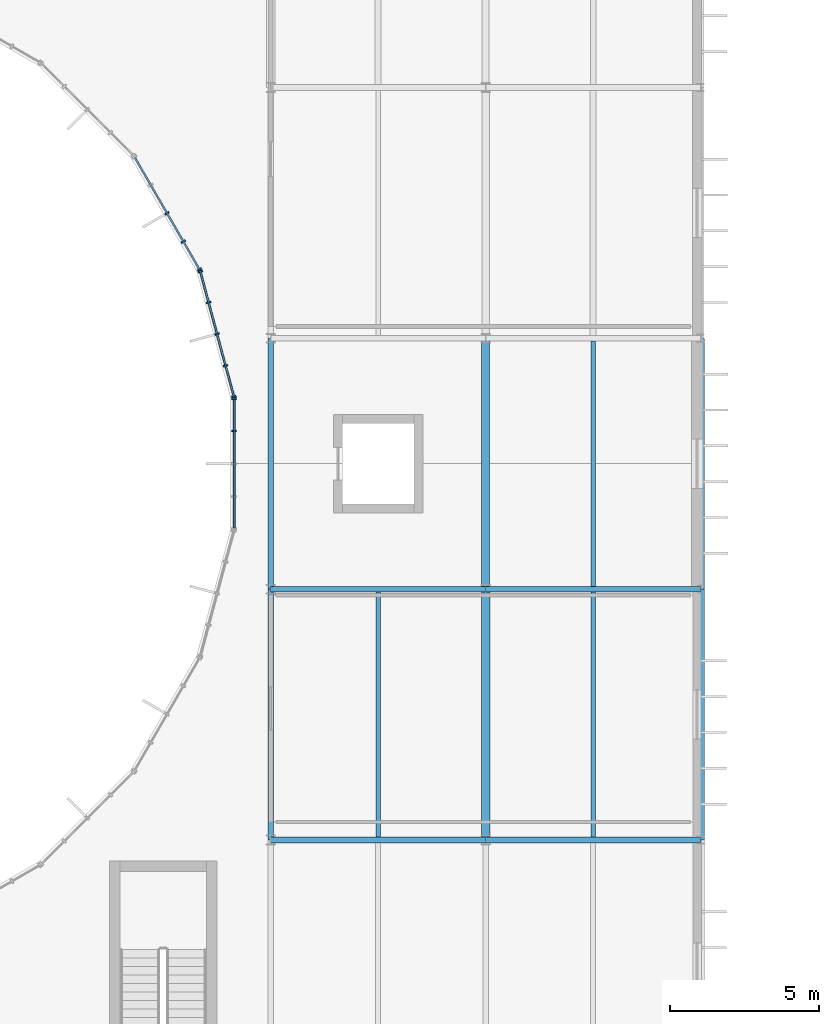
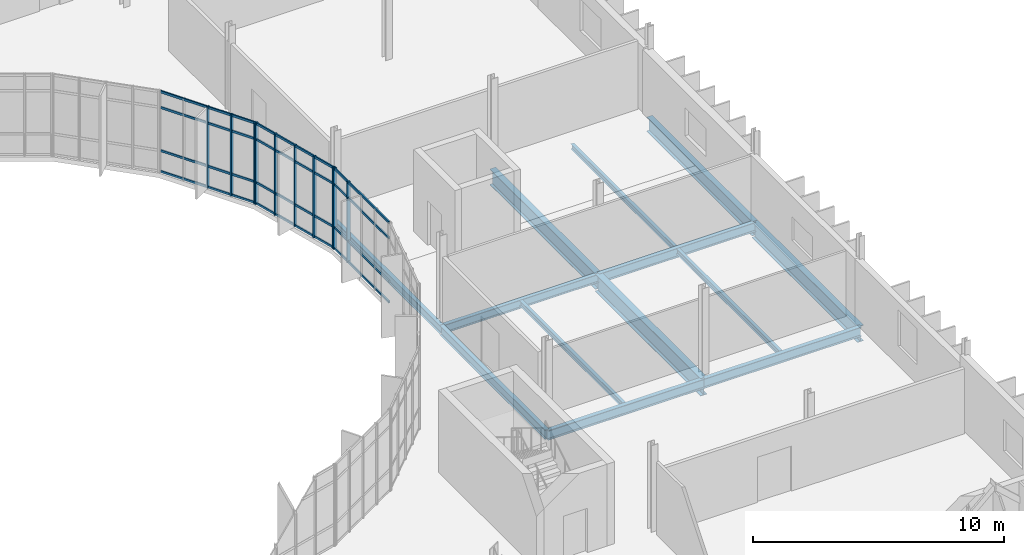
# One storey, part 64 of 119: 22 members, 13 beams, 3 elements without a shape of their own.
"""IFC4 building model written with IfcOpenShell, lengths in metres."""

from ifc_helpers import new_model, si_unit, direction, frame, origin, origin_2d, place, context, subcontext, project, spatial, rectangle, i_section, extrude, material, material_profile, profile_set, type_object, element, aggregate, save


model = new_model("IFC4")

# Units and contexts
model_context = context("Model", 3, precision=1e-05, world=origin(), true_north=direction((0.0, 1.0)))
body_context = subcontext(model_context, "Body", "Model", "MODEL_VIEW")
ifc_project = project(units=[si_unit("LENGTHUNIT", "METRE"), si_unit("AREAUNIT", "SQUARE_METRE"), si_unit("VOLUMEUNIT", "CUBIC_METRE"), si_unit("PLANEANGLEUNIT", "RADIAN"), si_unit("MASSUNIT", "GRAM", prefix="KILO")], contexts=[model_context])

# Site, building, storey
site_placement = place(None, origin())
site = spatial("IfcSite", under=ifc_project, at=site_placement, CompositionType="ELEMENT")
building_placement = place(site_placement, origin())
building = spatial("IfcBuilding", under=site, at=building_placement, Name="Qelthora Terrace Specialist Clinic", CompositionType="ELEMENT")
storey_placement = place(building_placement, frame((0.0, 0.0, 4.800048828125)))
storey = spatial("IfcBuildingStorey", under=building, at=storey_placement, Name="L01", CompositionType="ELEMENT", Elevation=4.800048828125)

# Beams
ifc_material_1 = material(Name="Steel S355", Category="steel")
ifc_material_profile_1 = material_profile(ifc_material_1, i_section(OverallWidth=0.178955078125, OverallDepth=0.409912109375, WebThickness=0.0087890625, FlangeThickness=0.014404296875, FilletRadius=0.011962890625, at=origin_2d()), Name="W410X67")
ifc_profile_set_1 = profile_set([ifc_material_profile_1], Name="Steel S355")
beam_type_1 = type_object("IfcBeamType", Name="BM-W410X67", PredefinedType="BEAM", material=ifc_profile_set_1)
beam_1_placement = place(storey_placement, frame((144.0, 58.800048828125, -0.455078125), z_axis=(1.0, 0.0, 0.0), x_axis=(0.0, 1.0, 0.0)))
element("IfcBeam", 1, at=beam_1_placement, inside=storey, type_object=beam_type_1, Name="Girder BMX-L01-0248", PredefinedType="BEAM", context=body_context, shape_type="SweptSolid", body=[
    extrude(i_section(OverallWidth=0.178955078125, OverallDepth=0.409912109375, WebThickness=0.0087890625, FlangeThickness=0.014404296875, FilletRadius=0.011962890625, at=origin_2d()), origin(), (0.0, 0.0, 1.0), 7.199951171875),
])
ifc_material_profile_2 = material_profile(ifc_material_1, i_section(OverallWidth=0.179931640625, OverallDepth=0.4130859375, WebThickness=0.009765625, FlangeThickness=0.01611328125, FilletRadius=0.011962890625, at=origin_2d()), Name="W410X75")
ifc_profile_set_2 = profile_set([ifc_material_profile_2], Name="Steel S355")
beam_type_2 = type_object("IfcBeamType", Name="BM-W410X75", PredefinedType="BEAM", material=ifc_profile_set_2)
beam_2_placement = place(storey_placement, frame((144.0, 58.800048828125, -0.45654296875), z_axis=(0.0, 1.0, 0.0), x_axis=(-1.0, 0.0, 0.0)))
element("IfcBeam", 2, at=beam_2_placement, inside=storey, type_object=beam_type_2, Name="Girder BMY-L01-0519", PredefinedType="BEAM", context=body_context, shape_type="SweptSolid", body=[
    extrude(i_section(OverallWidth=0.179931640625, OverallDepth=0.4130859375, WebThickness=0.009765625, FlangeThickness=0.01611328125, FilletRadius=0.011962890625, at=origin_2d()), origin(), (0.0, 0.0, 1.0), 8.39990234375),
])
ifc_material_profile_3 = material_profile(ifc_material_1, i_section(OverallWidth=0.19091796875, OverallDepth=0.4599609375, WebThickness=0.010009765625, FlangeThickness=0.01611328125, FilletRadius=0.012939453125, at=origin_2d()), Name="W460X82")
ifc_profile_set_3 = profile_set([ifc_material_profile_3], Name="Steel S355")
beam_type_3 = type_object("IfcBeamType", Name="BM-W460X82", PredefinedType="BEAM", material=ifc_profile_set_3)
beam_3_placement = place(storey_placement, frame((144.0, 50.39990234375, -0.47998046875), z_axis=(0.0, 1.0, 0.0), x_axis=(-1.0, 0.0, 0.0)))
element("IfcBeam", 3, at=beam_3_placement, inside=storey, type_object=beam_type_3, Name="Girder BMY-L01-0518", PredefinedType="BEAM", context=body_context, shape_type="SweptSolid", body=[
    extrude(i_section(OverallWidth=0.19091796875, OverallDepth=0.4599609375, WebThickness=0.010009765625, FlangeThickness=0.01611328125, FilletRadius=0.012939453125, at=origin_2d()), origin(), (0.0, 0.0, 1.0), 8.400146484375),
])
ifc_material_profile_4 = material_profile(ifc_material_1, i_section(OverallWidth=0.193115234375, OverallDepth=0.466064453125, WebThickness=0.011474609375, FlangeThickness=0.01904296875, FilletRadius=0.012939453125, at=origin_2d()), Name="W460X97")
ifc_profile_set_4 = profile_set([ifc_material_profile_4], Name="Steel S355")
beam_type_4 = type_object("IfcBeamType", Name="BM-W460X97", PredefinedType="BEAM", material=ifc_profile_set_4)
beam_4_placement = place(storey_placement, frame((144.0, 50.39990234375, -0.483154296875), z_axis=(1.0, 0.0, 0.0), x_axis=(0.0, 1.0, 0.0)))
element("IfcBeam", 4, at=beam_4_placement, inside=storey, type_object=beam_type_4, Name="Girder BMX-L01-0231", PredefinedType="BEAM", context=body_context, shape_type="SweptSolid", body=[
    extrude(i_section(OverallWidth=0.193115234375, OverallDepth=0.466064453125, WebThickness=0.011474609375, FlangeThickness=0.01904296875, FilletRadius=0.012939453125, at=origin_2d()), origin(), (0.0, 0.0, 1.0), 7.199951171875),
])
ifc_material_profile_5 = material_profile(ifc_material_1, i_section(OverallWidth=0.256103515625, OverallDepth=0.693115234375, WebThickness=0.014404296875, FlangeThickness=0.023681640625, FilletRadius=0.01806640625, at=origin_2d()), Name="W690X170")
ifc_profile_set_5 = profile_set([ifc_material_profile_5], Name="Steel S355")
beam_type_5 = type_object("IfcBeamType", Name="BM-W690X170", PredefinedType="BEAM", material=ifc_profile_set_5)
beam_5_placement = place(storey_placement, frame((158.39990234375, 58.800048828125, -0.596435546875), z_axis=(0.0, 1.0, 0.0), x_axis=(-1.0, 0.0, 0.0)))
element("IfcBeam", 5, at=beam_5_placement, inside=storey, type_object=beam_type_5, Name="Girder BMY-L01-0543", PredefinedType="BEAM", context=body_context, shape_type="SweptSolid", body=[
    extrude(i_section(OverallWidth=0.256103515625, OverallDepth=0.693115234375, WebThickness=0.014404296875, FlangeThickness=0.023681640625, FilletRadius=0.01806640625, at=origin_2d()), origin(), (0.0, 0.0, 1.0), 8.39990234375),
])
ifc_material_profile_6 = material_profile(ifc_material_1, i_section(OverallWidth=0.26806640625, OverallDepth=0.77001953125, WebThickness=0.015625, FlangeThickness=0.025390625, FilletRadius=0.01904296875, at=origin_2d()), Name="W760X196")
ifc_profile_set_6 = profile_set([ifc_material_profile_6], Name="Steel S355")
beam_type_6 = type_object("IfcBeamType", Name="BM-W760X196", PredefinedType="BEAM", material=ifc_profile_set_6)
beam_6_placement = place(storey_placement, frame((151.199951171875, 58.800048828125, -0.635009765625), z_axis=(0.0, 1.0, 0.0), x_axis=(-1.0, 0.0, 0.0)))
element("IfcBeam", 6, at=beam_6_placement, inside=storey, type_object=beam_type_6, Name="Girder BMY-L01-0532", PredefinedType="BEAM", context=body_context, shape_type="SweptSolid", body=[
    extrude(i_section(OverallWidth=0.26806640625, OverallDepth=0.77001953125, WebThickness=0.015625, FlangeThickness=0.025390625, FilletRadius=0.01904296875, at=origin_2d()), origin(), (0.0, 0.0, 1.0), 8.39990234375),
])
beam_7_placement = place(storey_placement, frame((158.39990234375, 50.39990234375, -0.635009765625), z_axis=(0.0, 1.0, 0.0), x_axis=(-1.0, 0.0, 0.0)))
element("IfcBeam", 7, at=beam_7_placement, inside=storey, type_object=beam_type_6, Name="Girder BMY-L01-0542", PredefinedType="BEAM", context=body_context, shape_type="SweptSolid", body=[
    extrude(i_section(OverallWidth=0.26806640625, OverallDepth=0.77001953125, WebThickness=0.015625, FlangeThickness=0.025390625, FilletRadius=0.01904296875, at=origin_2d()), origin(), (0.0, 0.0, 1.0), 8.400146484375),
])
ifc_material_profile_7 = material_profile(ifc_material_1, i_section(OverallWidth=0.2939453125, OverallDepth=0.85107421875, WebThickness=0.01611328125, FlangeThickness=0.02685546875, FilletRadius=0.02001953125, at=origin_2d()), Name="W840X226")
ifc_profile_set_7 = profile_set([ifc_material_profile_7], Name="Steel S355")
beam_type_7 = type_object("IfcBeamType", Name="BM-W840X226", PredefinedType="BEAM", material=ifc_profile_set_7)
beam_8_placement = place(storey_placement, frame((151.199951171875, 50.39990234375, -0.675537109375), z_axis=(0.0, 1.0, 0.0), x_axis=(-1.0, 0.0, 0.0)))
element("IfcBeam", 8, at=beam_8_placement, inside=storey, type_object=beam_type_7, Name="Girder BMY-L01-0531", PredefinedType="BEAM", context=body_context, shape_type="SweptSolid", body=[
    extrude(i_section(OverallWidth=0.2939453125, OverallDepth=0.85107421875, WebThickness=0.01611328125, FlangeThickness=0.02685546875, FilletRadius=0.02001953125, at=origin_2d()), origin(), (0.0, 0.0, 1.0), 8.400146484375),
])

# Curtain wall, members
ifc_material_2 = material(Name="Aluminium anodized bronze", Category="aluminium")
curtain_wall_type = type_object("IfcCurtainWallType", Name="CW-CRTE-UPP", PredefinedType="NOTDEFINED", material=ifc_material_2)
curtain_wall_1_placement = place(storey_placement, origin())
curtain_wall_1 = element("IfcCurtainWall", 9, at=curtain_wall_1_placement, inside=storey, type_object=curtain_wall_type, Name="Curtain wall CW-CE-L01-01", PredefinedType="NOTDEFINED")
ifc_material_profile_8 = material_profile(ifc_material_2, rectangle(XDim=0.06005859375, YDim=0.14990234375, at=origin_2d()), Name="CWM60X150")
ifc_profile_set_8 = profile_set([ifc_material_profile_8], Name="Aluminium anodized bronze")
member_type_1 = type_object("IfcMemberType", Name="CWM-60X150", PredefinedType="MULLION", material=ifc_profile_set_8)
member_1_placement = place(storey_placement, frame((142.76708984375, 65.2431640625, 0.0), z_axis=(0.0, 0.0, 1.0), x_axis=(-0.258819664824, 0.965925660235, 0.0)))
member_1 = element("IfcMember", 10, at=member_1_placement, type_object=member_type_1, Name="CW-CE-L01-01 mullion 1", PredefinedType="MULLION", context=body_context, shape_type="SweptSolid", body=[
    extrude(rectangle(XDim=0.06005859375, YDim=0.14990234375, at=origin_2d()), origin(), (0.0, 0.0, 1.0), 3.945068359375),
])
member_2_placement = place(storey_placement, frame((142.488525390625, 66.282958984375, 0.0), z_axis=(0.0, 0.0, 1.0), x_axis=(-0.258819664824, 0.965925660235, 0.0)))
member_2 = element("IfcMember", 11, at=member_2_placement, type_object=member_type_1, Name="CW-CE-L01-01 mullion 2", PredefinedType="MULLION", context=body_context, shape_type="SweptSolid", body=[
    extrude(rectangle(XDim=0.06005859375, YDim=0.14990234375, at=origin_2d()), origin(), (0.0, 0.0, 1.0), 3.945068359375),
])
member_3_placement = place(storey_placement, frame((142.20458984375, 67.342041015625, 0.0), z_axis=(0.0, 0.0, 1.0), x_axis=(-0.258819664824, 0.965925660235, 0.0)))
member_3 = element("IfcMember", 12, at=member_3_placement, type_object=member_type_1, Name="CW-CE-L01-01 mullion 3", PredefinedType="MULLION", context=body_context, shape_type="SweptSolid", body=[
    extrude(rectangle(XDim=0.06005859375, YDim=0.14990234375, at=origin_2d()), origin(), (0.0, 0.0, 1.0), 3.945068359375),
])
member_4_placement = place(storey_placement, frame((141.9208984375, 68.401123046875, 0.0), z_axis=(0.0, 0.0, 1.0), x_axis=(-0.258819664824, 0.965925660235, 0.0)))
member_4 = element("IfcMember", 13, at=member_4_placement, type_object=member_type_1, Name="CW-CE-L01-01 mullion 4", PredefinedType="MULLION", context=body_context, shape_type="SweptSolid", body=[
    extrude(rectangle(XDim=0.06005859375, YDim=0.14990234375, at=origin_2d()), origin(), (0.0, 0.0, 1.0), 3.945068359375),
])
member_5_placement = place(storey_placement, frame((141.642333984375, 69.44091796875, 0.0), z_axis=(0.0, 0.0, 1.0), x_axis=(-0.258819664824, 0.965925660235, 0.0)))
member_5 = element("IfcMember", 14, at=member_5_placement, type_object=member_type_1, Name="CW-CE-L01-01 mullion 5", PredefinedType="MULLION", context=body_context, shape_type="SweptSolid", body=[
    extrude(rectangle(XDim=0.06005859375, YDim=0.14990234375, at=origin_2d()), origin(), (0.0, 0.0, 1.0), 3.945068359375),
])

curtain_wall_2_placement = place(storey_placement, origin())
curtain_wall_2 = element("IfcCurtainWall", 15, at=curtain_wall_2_placement, inside=storey, type_object=curtain_wall_type, Name="Curtain wall CW-CE-L01-02", PredefinedType="NOTDEFINED")
member_6_placement = place(storey_placement, frame((141.614990234375, 69.50634765625, 0.0), z_axis=(0.0, 0.0, 1.0), x_axis=(-0.500000028915, 0.86602538709, 0.0)))
member_6 = element("IfcMember", 16, at=member_6_placement, type_object=member_type_1, Name="CW-CE-L01-02 mullion 1", PredefinedType="MULLION", context=body_context, shape_type="SweptSolid", body=[
    extrude(rectangle(XDim=0.06005859375, YDim=0.14990234375, at=origin_2d()), origin(), (0.0, 0.0, 1.0), 3.945068359375),
])
member_7_placement = place(storey_placement, frame((141.076904296875, 70.438720703125, 0.0), z_axis=(0.0, 0.0, 1.0), x_axis=(-0.500000028915, 0.86602538709, 0.0)))
member_7 = element("IfcMember", 17, at=member_7_placement, type_object=member_type_1, Name="CW-CE-L01-02 mullion 2", PredefinedType="MULLION", context=body_context, shape_type="SweptSolid", body=[
    extrude(rectangle(XDim=0.06005859375, YDim=0.14990234375, at=origin_2d()), origin(), (0.0, 0.0, 1.0), 3.945068359375),
])
member_8_placement = place(storey_placement, frame((140.528564453125, 71.38818359375, 0.0), z_axis=(0.0, 0.0, 1.0), x_axis=(-0.500000028915, 0.86602538709, 0.0)))
member_8 = element("IfcMember", 18, at=member_8_placement, type_object=member_type_1, Name="CW-CE-L01-02 mullion 3", PredefinedType="MULLION", context=body_context, shape_type="SweptSolid", body=[
    extrude(rectangle(XDim=0.06005859375, YDim=0.14990234375, at=origin_2d()), origin(), (0.0, 0.0, 1.0), 3.945068359375),
])

curtain_wall_3_placement = place(storey_placement, origin())
curtain_wall_3 = element("IfcCurtainWall", 19, at=curtain_wall_3_placement, inside=storey, type_object=curtain_wall_type, Name="Curtain wall CW-CE-L01-24", PredefinedType="NOTDEFINED")
member_9_placement = place(storey_placement, frame((142.7763671875, 64.096435546875, 0.0), z_axis=(0.0, 0.0, 1.0), x_axis=(0.0, 1.0, 0.0)))
member_9 = element("IfcMember", 20, at=member_9_placement, type_object=member_type_1, Name="CW-CE-L01-24 mullion 4", PredefinedType="MULLION", context=body_context, shape_type="SweptSolid", body=[
    extrude(rectangle(XDim=0.06005859375, YDim=0.14990234375, at=origin_2d()), origin(), (0.0, 0.0, 1.0), 3.945068359375),
])
member_10_placement = place(storey_placement, frame((142.7763671875, 65.1728515625, 0.0), z_axis=(0.0, 0.0, 1.0), x_axis=(0.0, 1.0, 0.0)))
member_10 = element("IfcMember", 21, at=member_10_placement, type_object=member_type_1, Name="CW-CE-L01-24 mullion 5", PredefinedType="MULLION", context=body_context, shape_type="SweptSolid", body=[
    extrude(rectangle(XDim=0.06005859375, YDim=0.14990234375, at=origin_2d()), origin(), (0.0, 0.0, 1.0), 3.945068359375),
])

# Member
ifc_material_profile_9 = material_profile(ifc_material_2, rectangle(XDim=0.06005859375, YDim=0.110107421875, at=origin_2d()), Name="CWT60X110")
ifc_profile_set_9 = profile_set([ifc_material_profile_9], Name="Aluminium anodized bronze")
member_type_2 = type_object("IfcMemberType", Name="CWT-60X110", PredefinedType="USERDEFINED", material=ifc_profile_set_9)
member_11_placement = place(storey_placement, frame((142.76171875, 65.262451171875, 0.0400390625), z_axis=(-0.25879182601, 0.965933119212, 0.0), x_axis=(-0.965933119212, -0.25879182601, 0.0)))
member_11 = element("IfcMember", 22, at=member_11_placement, type_object=member_type_2, Name="CW-CE-L01-01 transom 1", ObjectType="TRANSOM", PredefinedType="USERDEFINED", context=body_context, shape_type="SweptSolid", body=[
    extrude(rectangle(XDim=0.06005859375, YDim=0.110107421875, at=origin_2d()), origin(), (0.0, 0.0, 1.0), 4.3056640625),
])

member_12_placement = place(storey_placement, frame((142.76171875, 65.262451171875, 1.050048828125), z_axis=(-0.25879182601, 0.965933119212, 0.0), x_axis=(-0.965933119212, -0.25879182601, 0.0)))
member_12 = element("IfcMember", 23, at=member_12_placement, type_object=member_type_2, Name="CW-CE-L01-01 transom 2", ObjectType="TRANSOM", PredefinedType="USERDEFINED", context=body_context, shape_type="SweptSolid", body=[
    extrude(rectangle(XDim=0.06005859375, YDim=0.110107421875, at=origin_2d()), origin(), (0.0, 0.0, 1.0), 4.3056640625),
])

member_13_placement = place(storey_placement, frame((142.76171875, 65.262451171875, 3.14501953125), z_axis=(-0.25879182601, 0.965933119212, 0.0), x_axis=(-0.965933119212, -0.25879182601, 0.0)))
member_13 = element("IfcMember", 24, at=member_13_placement, type_object=member_type_2, Name="CW-CE-L01-01 transom 3", ObjectType="TRANSOM", PredefinedType="USERDEFINED", context=body_context, shape_type="SweptSolid", body=[
    extrude(rectangle(XDim=0.06005859375, YDim=0.110107421875, at=origin_2d()), origin(), (0.0, 0.0, 1.0), 4.3056640625),
])

member_14_placement = place(storey_placement, frame((142.76171875, 65.262451171875, 3.905029296875), z_axis=(-0.25879182601, 0.965933119212, 0.0), x_axis=(-0.965933119212, -0.25879182601, 0.0)))
member_14 = element("IfcMember", 25, at=member_14_placement, type_object=member_type_2, Name="CW-CE-L01-01 transom 4", ObjectType="TRANSOM", PredefinedType="USERDEFINED", context=body_context, shape_type="SweptSolid", body=[
    extrude(rectangle(XDim=0.06005859375, YDim=0.110107421875, at=origin_2d()), origin(), (0.0, 0.0, 1.0), 4.3056640625),
])

aggregate(curtain_wall_1, [member_1, member_2, member_3, member_4, member_5, member_11, member_12, member_13, member_14])

member_15_placement = place(storey_placement, frame((141.60498046875, 69.523681640625, 0.0400390625), z_axis=(-0.500005500391, 0.866022228109, 0.0), x_axis=(-0.866022228109, -0.500005500391, 0.0)))
member_15 = element("IfcMember", 26, at=member_15_placement, type_object=member_type_2, Name="CW-CE-L01-02 transom 1", ObjectType="TRANSOM", PredefinedType="USERDEFINED", context=body_context, shape_type="SweptSolid", body=[
    extrude(rectangle(XDim=0.06005859375, YDim=0.110107421875, at=origin_2d()), origin(), (0.0, 0.0, 1.0), 4.3056640625),
])

member_16_placement = place(storey_placement, frame((141.60498046875, 69.523681640625, 1.050048828125), z_axis=(-0.500005500391, 0.866022228109, 0.0), x_axis=(-0.866022228109, -0.500005500391, 0.0)))
member_16 = element("IfcMember", 27, at=member_16_placement, type_object=member_type_2, Name="CW-CE-L01-02 transom 2", ObjectType="TRANSOM", PredefinedType="USERDEFINED", context=body_context, shape_type="SweptSolid", body=[
    extrude(rectangle(XDim=0.06005859375, YDim=0.110107421875, at=origin_2d()), origin(), (0.0, 0.0, 1.0), 4.3056640625),
])

member_17_placement = place(storey_placement, frame((141.60498046875, 69.523681640625, 3.14501953125), z_axis=(-0.500005500391, 0.866022228109, 0.0), x_axis=(-0.866022228109, -0.500005500391, 0.0)))
member_17 = element("IfcMember", 28, at=member_17_placement, type_object=member_type_2, Name="CW-CE-L01-02 transom 3", ObjectType="TRANSOM", PredefinedType="USERDEFINED", context=body_context, shape_type="SweptSolid", body=[
    extrude(rectangle(XDim=0.06005859375, YDim=0.110107421875, at=origin_2d()), origin(), (0.0, 0.0, 1.0), 4.3056640625),
])

member_18_placement = place(storey_placement, frame((141.60498046875, 69.523681640625, 3.905029296875), z_axis=(-0.500005500391, 0.866022228109, 0.0), x_axis=(-0.866022228109, -0.500005500391, 0.0)))
member_18 = element("IfcMember", 29, at=member_18_placement, type_object=member_type_2, Name="CW-CE-L01-02 transom 4", ObjectType="TRANSOM", PredefinedType="USERDEFINED", context=body_context, shape_type="SweptSolid", body=[
    extrude(rectangle(XDim=0.06005859375, YDim=0.110107421875, at=origin_2d()), origin(), (0.0, 0.0, 1.0), 4.3056640625),
])

aggregate(curtain_wall_2, [member_6, member_7, member_8, member_15, member_16, member_17, member_18])

member_19_placement = place(storey_placement, frame((142.7763671875, 60.84716796875, 0.0400390625), z_axis=(0.0, 1.0, 0.0), x_axis=(-1.0, 0.0, 0.0)))
member_19 = element("IfcMember", 30, at=member_19_placement, type_object=member_type_2, Name="CW-CE-L01-24 transom 1", ObjectType="TRANSOM", PredefinedType="USERDEFINED", context=body_context, shape_type="SweptSolid", body=[
    extrude(rectangle(XDim=0.06005859375, YDim=0.110107421875, at=origin_2d()), origin(), (0.0, 0.0, 1.0), 4.3056640625),
])

member_20_placement = place(storey_placement, frame((142.7763671875, 60.84716796875, 1.050048828125), z_axis=(0.0, 1.0, 0.0), x_axis=(-1.0, 0.0, 0.0)))
member_20 = element("IfcMember", 31, at=member_20_placement, type_object=member_type_2, Name="CW-CE-L01-24 transom 2", ObjectType="TRANSOM", PredefinedType="USERDEFINED", context=body_context, shape_type="SweptSolid", body=[
    extrude(rectangle(XDim=0.06005859375, YDim=0.110107421875, at=origin_2d()), origin(), (0.0, 0.0, 1.0), 4.3056640625),
])

member_21_placement = place(storey_placement, frame((142.7763671875, 60.84716796875, 3.14501953125), z_axis=(0.0, 1.0, 0.0), x_axis=(-1.0, 0.0, 0.0)))
member_21 = element("IfcMember", 32, at=member_21_placement, type_object=member_type_2, Name="CW-CE-L01-24 transom 3", ObjectType="TRANSOM", PredefinedType="USERDEFINED", context=body_context, shape_type="SweptSolid", body=[
    extrude(rectangle(XDim=0.06005859375, YDim=0.110107421875, at=origin_2d()), origin(), (0.0, 0.0, 1.0), 4.3056640625),
])

member_22_placement = place(storey_placement, frame((142.7763671875, 60.84716796875, 3.905029296875), z_axis=(0.0, 1.0, 0.0), x_axis=(-1.0, 0.0, 0.0)))
member_22 = element("IfcMember", 33, at=member_22_placement, type_object=member_type_2, Name="CW-CE-L01-24 transom 4", ObjectType="TRANSOM", PredefinedType="USERDEFINED", context=body_context, shape_type="SweptSolid", body=[
    extrude(rectangle(XDim=0.06005859375, YDim=0.110107421875, at=origin_2d()), origin(), (0.0, 0.0, 1.0), 4.3056640625),
])

aggregate(curtain_wall_3, [member_9, member_10, member_19, member_20, member_21, member_22])

# Beams
ifc_material_profile_10 = material_profile(ifc_material_1, i_section(OverallWidth=0.14599609375, OverallDepth=0.258056640625, WebThickness=0.006103515625, FlangeThickness=0.009033203125, FilletRadius=0.009033203125, at=origin_2d()), Name="W250X33")
ifc_profile_set_10 = profile_set([ifc_material_profile_10], Name="Steel S355")
beam_type_8 = type_object("IfcBeamType", Name="JST-W250X33", PredefinedType="JOIST", material=ifc_profile_set_10)
beam_9_placement = place(storey_placement, frame((154.800048828125, 58.8955078125, -0.379150390625), z_axis=(0.0, 1.0, 0.0), x_axis=(-1.0, 0.0, 0.0)))
element("IfcBeam", 34, at=beam_9_placement, inside=storey, type_object=beam_type_8, Name="Composite floor joist JST-L01-0144", PredefinedType="JOIST", context=body_context, shape_type="SweptSolid", body=[
    extrude(i_section(OverallWidth=0.14599609375, OverallDepth=0.258056640625, WebThickness=0.006103515625, FlangeThickness=0.009033203125, FilletRadius=0.009033203125, at=origin_2d()), origin(), (0.0, 0.0, 1.0), 8.208984375),
])
ifc_material_profile_11 = material_profile(ifc_material_1, i_section(OverallWidth=0.14697265625, OverallDepth=0.261962890625, WebThickness=0.006591796875, FlangeThickness=0.01123046875, FilletRadius=0.009033203125, at=origin_2d()), Name="W250X39")
ifc_profile_set_11 = profile_set([ifc_material_profile_11], Name="Steel S355")
beam_type_9 = type_object("IfcBeamType", Name="JST-W250X39", PredefinedType="JOIST", material=ifc_profile_set_11)
beam_10_placement = place(storey_placement, frame((147.60009765625, 50.49658203125, -0.381103515625), z_axis=(0.0, 1.0, 0.0), x_axis=(-1.0, 0.0, 0.0)))
element("IfcBeam", 35, at=beam_10_placement, inside=storey, type_object=beam_type_9, Name="Composite floor joist JST-L01-0137", PredefinedType="JOIST", context=body_context, shape_type="SweptSolid", body=[
    extrude(i_section(OverallWidth=0.14697265625, OverallDepth=0.261962890625, WebThickness=0.006591796875, FlangeThickness=0.01123046875, FilletRadius=0.009033203125, at=origin_2d()), origin(), (0.0, 0.0, 1.0), 8.2138671875),
])
beam_11_placement = place(storey_placement, frame((154.800048828125, 50.49560546875, -0.381103515625), z_axis=(0.0, 1.0, 0.0), x_axis=(-1.0, 0.0, 0.0)))
element("IfcBeam", 36, at=beam_11_placement, inside=storey, type_object=beam_type_9, Name="Composite floor joist JST-L01-0143", PredefinedType="JOIST", context=body_context, shape_type="SweptSolid", body=[
    extrude(i_section(OverallWidth=0.14697265625, OverallDepth=0.261962890625, WebThickness=0.006591796875, FlangeThickness=0.01123046875, FilletRadius=0.009033203125, at=origin_2d()), origin(), (0.0, 0.0, 1.0), 8.208984375),
])
ifc_material_profile_12 = material_profile(ifc_material_1, i_section(OverallWidth=0.19091796875, OverallDepth=0.4599609375, WebThickness=0.010009765625, FlangeThickness=0.01611328125, FilletRadius=0.012939453125, at=origin_2d()), Name="W460X82")
ifc_profile_set_12 = profile_set([ifc_material_profile_12], Name="Steel S355")
beam_type_10 = type_object("IfcBeamType", Name="SPD-W460X82", PredefinedType="SPANDREL", material=ifc_profile_set_12)
for number, where, z_axis, x_axis, name in (
    (37, (151.199951171875, 50.39990234375, -0.47998046875), (1.0, 0.0, 0.0), (0.0, 1.0, 0.0), "Girder BMX-L01-0232"),
    (38, (151.199951171875, 58.800048828125, -0.47998046875), (1.0, 0.0, 0.0), (0.0, 1.0, 0.0), "Girder BMX-L01-0249"),
):
    element("IfcBeam", number, at=place(storey_placement, frame(where, z_axis=z_axis, x_axis=x_axis)), inside=storey, type_object=beam_type_10, Name=name, PredefinedType="SPANDREL", context=body_context, shape_type="SweptSolid", body=[
        extrude(i_section(OverallWidth=0.19091796875, OverallDepth=0.4599609375, WebThickness=0.010009765625, FlangeThickness=0.01611328125, FilletRadius=0.012939453125, at=origin_2d()), origin(), (0.0, 0.0, 1.0), 7.199951171875),
    ])

save(model, "model.ifc")
